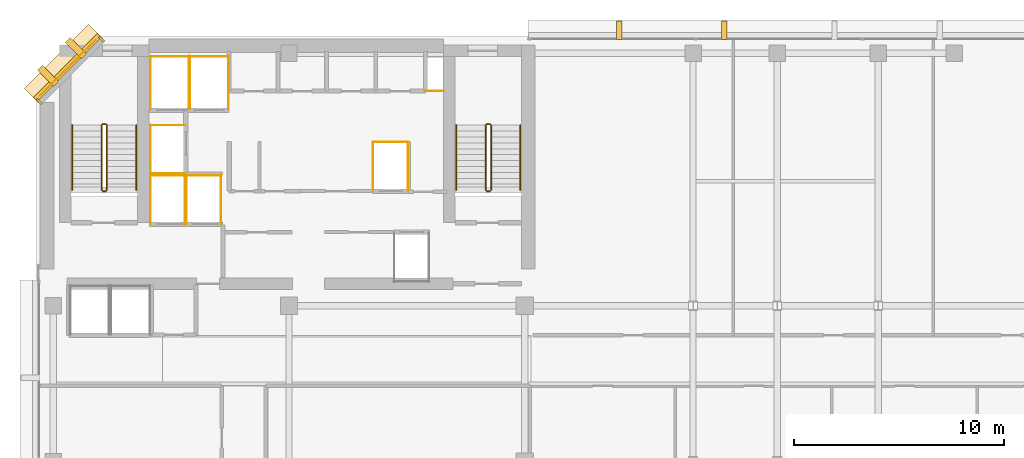
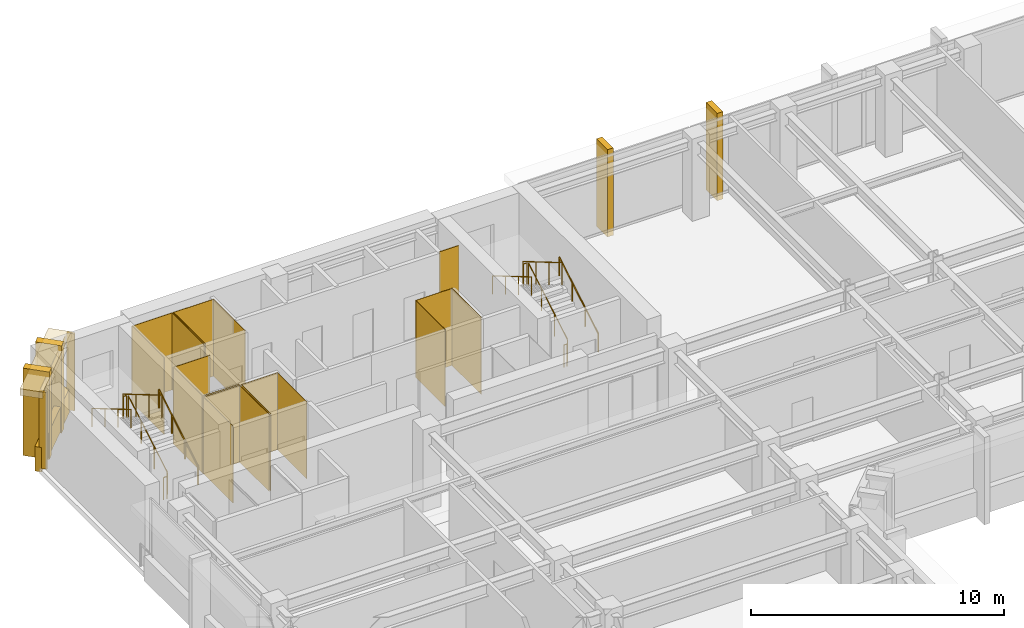
# One storey, part 11 of 12: 28 coverings, 12 railings.
"""IFC4 building model written with IfcOpenShell, lengths in metres."""

from ifc_helpers import new_model, si_unit, direction, frame, origin, origin_2d, place, context, subcontext, project, spatial, polyline, rectangle, circle, outline, extrude, material, layer, layer_set, type_object, element, save


model = new_model("IFC4")

# Units and contexts
model_context = context("Model", 3, precision=1e-05, world=origin(), true_north=direction((0.0, 1.0)))
body_context = subcontext(model_context, "Body", "Model", "MODEL_VIEW")
ifc_project = project(units=[si_unit("LENGTHUNIT", "METRE"), si_unit("AREAUNIT", "SQUARE_METRE"), si_unit("VOLUMEUNIT", "CUBIC_METRE"), si_unit("PLANEANGLEUNIT", "RADIAN"), si_unit("MASSUNIT", "GRAM", prefix="KILO")], contexts=[model_context])

# Site, building, storey
site_placement = place(None, origin())
site = spatial("IfcSite", under=ifc_project, at=site_placement, CompositionType="ELEMENT")
building_placement = place(site_placement, origin())
building = spatial("IfcBuilding", under=site, at=building_placement, Name="Kefirva Bronze Tower", CompositionType="ELEMENT")
storey_placement = place(building_placement, frame((0.0, 0.0, 256.409912109375)))
storey = spatial("IfcBuildingStorey", under=building, at=storey_placement, Name="L62", CompositionType="ELEMENT", Elevation=256.409912109375)

# Coverings
ifc_material_1 = material(Name="Bronze anodised aluminium", Category="aluminium")
ifc_layer_1 = layer(ifc_material_1, 0.02001953125, Name="Bronze anodised aluminium")
ifc_layer_set_1 = layer_set([ifc_layer_1], Name="Bronze anodised aluminium")
covering_type_1 = type_object("IfcCoveringType", Name="Anodised Bronze Spandrel Cladding 20mm", PredefinedType="CLADDING", material=ifc_layer_set_1)
covering_1_placement = place(storey_placement, frame((1.492919921875, 44.507080078125, 3.2900390625), z_axis=(0.0, 0.0, 1.0), x_axis=(-0.707106781187, -0.707106781187, 0.0)))
element("IfcCovering", 1, at=covering_1_placement, inside=storey, type_object=covering_type_1, Name="L62 Bronze Spandrel Cladding 6", PredefinedType="CLADDING", context=body_context, shape_type="SweptSolid", body=[
    extrude(rectangle(XDim=3.719482421875, YDim=0.02001953125, at=origin_2d()), origin(), (0.0, 0.0, 1.0), 0.39990234375),
])
for number, where, z_axis, x_axis, name in (
    (2, (3.08837890625, 45.862060546875, 0.0), (0.0, 0.0, 1.0), (-0.707106781187, -0.707106781187, 0.0), "L62 Facade Joint Closure Panel 6S"),
    (3, (0.137939453125, 42.91162109375, 0.0), (0.0, 0.0, 1.0), (-0.707106781187, -0.707106781187, 0.0), "L62 Facade Joint Closure Panel 6E"),
):
    element("IfcCovering", number, at=place(storey_placement, frame(where, z_axis=z_axis, x_axis=x_axis)), inside=storey, type_object=covering_type_1, Name=name, PredefinedType="CLADDING", context=body_context, shape_type="SweptSolid", body=[
        extrude(rectangle(XDim=0.10009765625, YDim=0.320068359375, at=origin_2d()), origin(), (0.0, 0.0, 1.0), 3.7099609375),
    ])
covering_2_placement = place(storey_placement, frame((1.4716796875, 44.5283203125, -0.15966796875), z_axis=(0.0, 0.0, 1.0), x_axis=(-0.707106781187, -0.707106781187, 0.0)))
element("IfcCovering", 4, at=covering_2_placement, inside=storey, type_object=covering_type_1, Name="L62 Streamline Horizontal Spandrel Band 9", PredefinedType="CLADDING", context=body_context, shape_type="SweptSolid", body=[
    extrude(rectangle(XDim=4.28271484375, YDim=0.280029296875, at=origin_2d()), origin(), (0.0, 0.0, 1.0), 1.179931640625),
])
covering_3_placement = place(storey_placement, origin())
element("IfcCovering", 5, at=covering_3_placement, inside=storey, type_object=covering_type_1, Name="L62 Lift FF1 Hoistway Liner N", PredefinedType="CLADDING", context=body_context, shape_type="SweptSolid", body=[
    extrude(outline(polyline([(5.39990234375, 39.389892578125), (7.080078125, 39.389892578125), (7.080078125, 39.409912109375), (5.39990234375, 39.409912109375), (5.39990234375, 39.389892578125)])), origin(), (0.0, 0.0, 1.0), 3.710205078125),
])
covering_4_placement = place(storey_placement, origin())
element("IfcCovering", 6, at=covering_4_placement, inside=storey, type_object=covering_type_1, Name="L62 Lift FF1 Hoistway Liner W", PredefinedType="CLADDING", context=body_context, shape_type="SweptSolid", body=[
    extrude(outline(polyline([(5.409912109375, 37.080078125), (5.429931640625, 37.080078125), (5.429931640625, 39.419921875), (5.409912109375, 39.419921875), (5.409912109375, 37.080078125)])), origin(), (0.0, 0.0, 1.0), 3.710205078125),
])
covering_5_placement = place(storey_placement, origin())
element("IfcCovering", 7, at=covering_5_placement, inside=storey, type_object=covering_type_1, Name="L62 Lift FF1 Hoistway Liner E", PredefinedType="CLADDING", context=body_context, shape_type="SweptSolid", body=[
    extrude(outline(polyline([(7.050048828125, 37.080078125), (7.070068359375, 37.080078125), (7.070068359375, 39.419921875), (7.050048828125, 39.419921875), (7.050048828125, 37.080078125)])), origin(), (0.0, 0.0, 1.0), 3.710205078125),
])
covering_6_placement = place(storey_placement, origin())
element("IfcCovering", 8, at=covering_6_placement, inside=storey, type_object=covering_type_1, Name="L62 Lift FF2 Hoistway Liner N", PredefinedType="CLADDING", context=body_context, shape_type="SweptSolid", body=[
    extrude(outline(polyline([(7.1201171875, 39.389892578125), (8.800048828125, 39.389892578125), (8.800048828125, 39.409912109375), (7.1201171875, 39.409912109375), (7.1201171875, 39.389892578125)])), origin(), (0.0, 0.0, 1.0), 3.710205078125),
])
covering_7_placement = place(storey_placement, origin())
element("IfcCovering", 9, at=covering_7_placement, inside=storey, type_object=covering_type_1, Name="L62 Lift FF2 Hoistway Liner W", PredefinedType="CLADDING", context=body_context, shape_type="SweptSolid", body=[
    extrude(outline(polyline([(7.1298828125, 37.080078125), (7.14990234375, 37.080078125), (7.14990234375, 39.419921875), (7.1298828125, 39.419921875), (7.1298828125, 37.080078125)])), origin(), (0.0, 0.0, 1.0), 3.710205078125),
])
covering_8_placement = place(storey_placement, origin())
element("IfcCovering", 10, at=covering_8_placement, inside=storey, type_object=covering_type_1, Name="L62 Lift FF2 Hoistway Liner E", PredefinedType="CLADDING", context=body_context, shape_type="SweptSolid", body=[
    extrude(outline(polyline([(8.77001953125, 37.080078125), (8.7900390625, 37.080078125), (8.7900390625, 39.419921875), (8.77001953125, 39.419921875), (8.77001953125, 37.080078125)])), origin(), (0.0, 0.0, 1.0), 3.710205078125),
])
covering_9_placement = place(storey_placement, origin())
element("IfcCovering", 11, at=covering_9_placement, inside=storey, type_object=covering_type_1, Name="L62 Lift SV1 Hoistway Liner N", PredefinedType="CLADDING", context=body_context, shape_type="SweptSolid", body=[
    extrude(outline(polyline([(5.39990234375, 45.0400390625), (7.260009765625, 45.0400390625), (7.260009765625, 45.06005859375), (5.39990234375, 45.06005859375), (5.39990234375, 45.0400390625)])), origin(), (0.0, 0.0, 1.0), 3.710205078125),
])
covering_10_placement = place(storey_placement, origin())
element("IfcCovering", 12, at=covering_10_placement, inside=storey, type_object=covering_type_1, Name="L62 Lift SV1 Hoistway Liner W", PredefinedType="CLADDING", context=body_context, shape_type="SweptSolid", body=[
    extrude(outline(polyline([(5.409912109375, 42.530029296875), (5.429931640625, 42.530029296875), (5.429931640625, 45.070068359375), (5.409912109375, 45.070068359375), (5.409912109375, 42.530029296875)])), origin(), (0.0, 0.0, 1.0), 3.710205078125),
])
covering_11_placement = place(storey_placement, origin())
element("IfcCovering", 13, at=covering_11_placement, inside=storey, type_object=covering_type_1, Name="L62 Lift SV1 Hoistway Liner E", PredefinedType="CLADDING", context=body_context, shape_type="SweptSolid", body=[
    extrude(outline(polyline([(7.22998046875, 42.530029296875), (7.25, 42.530029296875), (7.25, 45.070068359375), (7.22998046875, 45.070068359375), (7.22998046875, 42.530029296875)])), origin(), (0.0, 0.0, 1.0), 3.710205078125),
])
covering_12_placement = place(storey_placement, origin())
element("IfcCovering", 14, at=covering_12_placement, inside=storey, type_object=covering_type_1, Name="L62 Lift SV2 Hoistway Liner N", PredefinedType="CLADDING", context=body_context, shape_type="SweptSolid", body=[
    extrude(outline(polyline([(7.280029296875, 45.0400390625), (9.139892578125, 45.0400390625), (9.139892578125, 45.06005859375), (7.280029296875, 45.06005859375), (7.280029296875, 45.0400390625)])), origin(), (0.0, 0.0, 1.0), 3.710205078125),
])
covering_13_placement = place(storey_placement, origin())
element("IfcCovering", 15, at=covering_13_placement, inside=storey, type_object=covering_type_1, Name="L62 Lift SV2 Hoistway Liner W", PredefinedType="CLADDING", context=body_context, shape_type="SweptSolid", body=[
    extrude(outline(polyline([(7.2900390625, 42.530029296875), (7.31005859375, 42.530029296875), (7.31005859375, 45.070068359375), (7.2900390625, 45.070068359375), (7.2900390625, 42.530029296875)])), origin(), (0.0, 0.0, 1.0), 3.710205078125),
])
covering_14_placement = place(storey_placement, origin())
element("IfcCovering", 16, at=covering_14_placement, inside=storey, type_object=covering_type_1, Name="L62 Lift SV2 Hoistway Liner E", PredefinedType="CLADDING", context=body_context, shape_type="SweptSolid", body=[
    extrude(outline(polyline([(9.110107421875, 42.530029296875), (9.1298828125, 42.530029296875), (9.1298828125, 45.070068359375), (9.110107421875, 45.070068359375), (9.110107421875, 42.530029296875)])), origin(), (0.0, 0.0, 1.0), 3.710205078125),
])
covering_15_placement = place(storey_placement, origin())
element("IfcCovering", 17, at=covering_15_placement, inside=storey, type_object=covering_type_1, Name="L62 Lift HP2 Hoistway Liner N", PredefinedType="CLADDING", context=body_context, shape_type="SweptSolid", body=[
    extrude(outline(polyline([(15.97998046875, 40.969970703125), (17.669921875, 40.969970703125), (17.669921875, 40.989990234375), (15.97998046875, 40.989990234375), (15.97998046875, 40.969970703125)])), origin(), (0.0, 0.0, 1.0), 3.710205078125),
])
covering_16_placement = place(storey_placement, origin())
element("IfcCovering", 18, at=covering_16_placement, inside=storey, type_object=covering_type_1, Name="L62 Lift HP2 Hoistway Liner W", PredefinedType="CLADDING", context=body_context, shape_type="SweptSolid", body=[
    extrude(outline(polyline([(15.989990234375, 38.659912109375), (16.010009765625, 38.659912109375), (16.010009765625, 41.0), (15.989990234375, 41.0), (15.989990234375, 38.659912109375)])), origin(), (0.0, 0.0, 1.0), 3.710205078125),
])
covering_17_placement = place(storey_placement, origin())
element("IfcCovering", 19, at=covering_17_placement, inside=storey, type_object=covering_type_1, Name="L62 Lift HP2 Hoistway Liner E", PredefinedType="CLADDING", context=body_context, shape_type="SweptSolid", body=[
    extrude(outline(polyline([(17.639892578125, 38.659912109375), (17.659912109375, 38.659912109375), (17.659912109375, 41.0), (17.639892578125, 41.0), (17.639892578125, 38.659912109375)])), origin(), (0.0, 0.0, 1.0), 3.710205078125),
])
covering_18_placement = place(storey_placement, origin())
element("IfcCovering", 20, at=covering_18_placement, inside=storey, type_object=covering_type_1, Name="L62 Lift HP3 Hoistway Liner N", PredefinedType="CLADDING", context=body_context, shape_type="SweptSolid", body=[
    extrude(outline(polyline([(5.39990234375, 41.77001953125), (7.080078125, 41.77001953125), (7.080078125, 41.7900390625), (5.39990234375, 41.7900390625), (5.39990234375, 41.77001953125)])), origin(), (0.0, 0.0, 1.0), 3.710205078125),
])
covering_19_placement = place(storey_placement, origin())
element("IfcCovering", 21, at=covering_19_placement, inside=storey, type_object=covering_type_1, Name="L62 Lift HP3 Hoistway Liner S", PredefinedType="CLADDING", context=body_context, shape_type="SweptSolid", body=[
    extrude(outline(polyline([(5.39990234375, 39.469970703125), (7.080078125, 39.469970703125), (7.080078125, 39.489990234375), (5.39990234375, 39.489990234375), (5.39990234375, 39.469970703125)])), origin(), (0.0, 0.0, 1.0), 3.710205078125),
])
covering_20_placement = place(storey_placement, origin())
element("IfcCovering", 22, at=covering_20_placement, inside=storey, type_object=covering_type_1, Name="L62 Lift HP3 Hoistway Liner W", PredefinedType="CLADDING", context=body_context, shape_type="SweptSolid", body=[
    extrude(outline(polyline([(5.409912109375, 39.4599609375), (5.429931640625, 39.4599609375), (5.429931640625, 41.800048828125), (5.409912109375, 41.800048828125), (5.409912109375, 39.4599609375)])), origin(), (0.0, 0.0, 1.0), 3.710205078125),
])
covering_21_placement = place(storey_placement, origin())
element("IfcCovering", 23, at=covering_21_placement, inside=storey, type_object=covering_type_1, Name="L62 Core MEP Riser Shaft Liner South", PredefinedType="CLADDING", context=body_context, shape_type="SweptSolid", body=[
    extrude(outline(polyline([(18.47998046875, 43.39990234375), (19.360107421875, 43.39990234375), (19.360107421875, 43.429931640625), (18.47998046875, 43.429931640625), (18.47998046875, 43.39990234375)])), origin(), (0.0, 0.0, 1.0), 3.710205078125),
])

# Railings
ifc_material_2 = material(Name="Stainless steel 316", Category="steel")
railing_type_1 = type_object("IfcRailingType", Name="Interior Stair Guardrail 1100mm", PredefinedType="GUARDRAIL", material=ifc_material_2)
railing_1_placement = place(storey_placement, frame((3.35009765625, 38.699951171875, 0.1650390625)))
element("IfcRailing", 24, at=railing_1_placement, inside=storey, type_object=railing_type_1, Name="L62 ST-1 stair guard 1", PredefinedType="GUARDRAIL", context=body_context, shape_type="SweptSolid", body=[
    extrude(circle(Radius=0.02392578125, at=origin_2d()), frame((0.0, 0.0, 1.076171875), z_axis=(0.0, 0.861551262678, 0.507670583921), x_axis=(-1.0, 0.0, 0.0)), (0.0, 0.0, 1.0), 3.574951171875),
    extrude(circle(Radius=0.02099609375, at=origin_2d()), origin(), (0.0, 0.0, 1.0), 1.052001953125),
    extrude(circle(Radius=0.02099609375, at=origin_2d()), frame((0.0, 1.026611328125, 0.60498046875)), (0.0, 0.0, 1.0), 1.052001953125),
    extrude(circle(Radius=0.02099609375, at=origin_2d()), frame((0.0, 2.053466796875, 1.2099609375)), (0.0, 0.0, 1.0), 1.052001953125),
    extrude(circle(Radius=0.02099609375, at=origin_2d()), frame((0.0, 3.080078125, 1.81494140625)), (0.0, 0.0, 1.0), 1.052001953125),
])
railing_2_placement = place(storey_placement, frame((3.300048828125, 41.830078125, 1.97998046875)))
element("IfcRailing", 25, at=railing_2_placement, inside=storey, type_object=railing_type_1, Name="L62 ST-1 stair guard 2", PredefinedType="GUARDRAIL", context=body_context, shape_type="SweptSolid", body=[
    extrude(circle(Radius=0.02392578125, at=origin_2d()), frame((0.0, 0.0, 1.076171875), z_axis=(-1.0, 0.0, 0.0), x_axis=(0.0, -1.0, 0.0)), (0.0, 0.0, 1.0), 0.150146484375),
    extrude(circle(Radius=0.02099609375, at=origin_2d()), origin(), (0.0, 0.0, 1.0), 1.052001953125),
    extrude(circle(Radius=0.02099609375, at=origin_2d()), frame((-0.150146484375, 0.0, 0.0)), (0.0, 0.0, 1.0), 1.052001953125),
])
railing_3_placement = place(storey_placement, frame((3.10009765625, 41.780029296875, 2.14501953125)))
element("IfcRailing", 26, at=railing_3_placement, inside=storey, type_object=railing_type_1, Name="L62 ST-1 stair guard 3", PredefinedType="GUARDRAIL", context=body_context, shape_type="SweptSolid", body=[
    extrude(circle(Radius=0.02392578125, at=origin_2d()), frame((0.0, 0.0, 1.076171875), z_axis=(0.0, -0.861521393093, 0.507721271215), x_axis=(1.0, 0.0, 0.0)), (0.0, 0.0, 1.0), 3.5751953125),
    extrude(circle(Radius=0.02099609375, at=origin_2d()), origin(), (0.0, 0.0, 1.0), 1.052001953125),
    extrude(circle(Radius=0.02099609375, at=origin_2d()), frame((0.0, -1.026611328125, 0.60498046875)), (0.0, 0.0, 1.0), 1.052001953125),
    extrude(circle(Radius=0.02099609375, at=origin_2d()), frame((0.0, -2.053466796875, 1.210205078125)), (0.0, 0.0, 1.0), 1.052001953125),
    extrude(circle(Radius=0.02099609375, at=origin_2d()), frame((0.0, -3.080078125, 1.815185546875)), (0.0, 0.0, 1.0), 1.052001953125),
])
railing_4_placement = place(storey_placement, frame((3.300048828125, 38.64990234375, 0.0)))
element("IfcRailing", 27, at=railing_4_placement, inside=storey, type_object=railing_type_1, Name="L62 ST-1 stair guard 4", PredefinedType="GUARDRAIL", context=body_context, shape_type="SweptSolid", body=[
    extrude(circle(Radius=0.02392578125, at=origin_2d()), frame((0.0, 0.0, 1.076171875), z_axis=(-1.0, 0.0, 0.0), x_axis=(0.0, -1.0, 0.0)), (0.0, 0.0, 1.0), 0.150146484375),
    extrude(circle(Radius=0.02099609375, at=origin_2d()), origin(), (0.0, 0.0, 1.0), 1.052001953125),
    extrude(circle(Radius=0.02099609375, at=origin_2d()), frame((-0.150146484375, 0.0, 0.0)), (0.0, 0.0, 1.0), 1.052001953125),
])
railing_5_placement = place(storey_placement, frame((21.60009765625, 38.699951171875, 0.1650390625)))
element("IfcRailing", 28, at=railing_5_placement, inside=storey, type_object=railing_type_1, Name="L62 ST-2 stair guard 1", PredefinedType="GUARDRAIL", context=body_context, shape_type="SweptSolid", body=[
    extrude(circle(Radius=0.02392578125, at=origin_2d()), frame((0.0, 0.0, 1.076171875), z_axis=(0.0, 0.861551262678, 0.507670583921), x_axis=(-1.0, 0.0, 0.0)), (0.0, 0.0, 1.0), 3.574951171875),
    extrude(circle(Radius=0.02099609375, at=origin_2d()), origin(), (0.0, 0.0, 1.0), 1.052001953125),
    extrude(circle(Radius=0.02099609375, at=origin_2d()), frame((0.0, 1.026611328125, 0.60498046875)), (0.0, 0.0, 1.0), 1.052001953125),
    extrude(circle(Radius=0.02099609375, at=origin_2d()), frame((0.0, 2.053466796875, 1.2099609375)), (0.0, 0.0, 1.0), 1.052001953125),
    extrude(circle(Radius=0.02099609375, at=origin_2d()), frame((0.0, 3.080078125, 1.81494140625)), (0.0, 0.0, 1.0), 1.052001953125),
])
railing_6_placement = place(storey_placement, frame((21.550048828125, 41.830078125, 1.97998046875)))
element("IfcRailing", 29, at=railing_6_placement, inside=storey, type_object=railing_type_1, Name="L62 ST-2 stair guard 2", PredefinedType="GUARDRAIL", context=body_context, shape_type="SweptSolid", body=[
    extrude(circle(Radius=0.02392578125, at=origin_2d()), frame((0.0, 0.0, 1.076171875), z_axis=(-1.0, 0.0, 0.0), x_axis=(0.0, -1.0, 0.0)), (0.0, 0.0, 1.0), 0.150146484375),
    extrude(circle(Radius=0.02099609375, at=origin_2d()), origin(), (0.0, 0.0, 1.0), 1.052001953125),
    extrude(circle(Radius=0.02099609375, at=origin_2d()), frame((-0.150146484375, 0.0, 0.0)), (0.0, 0.0, 1.0), 1.052001953125),
])
railing_7_placement = place(storey_placement, frame((21.35009765625, 41.780029296875, 2.14501953125)))
element("IfcRailing", 30, at=railing_7_placement, inside=storey, type_object=railing_type_1, Name="L62 ST-2 stair guard 3", PredefinedType="GUARDRAIL", context=body_context, shape_type="SweptSolid", body=[
    extrude(circle(Radius=0.02392578125, at=origin_2d()), frame((0.0, 0.0, 1.076171875), z_axis=(0.0, -0.861521393093, 0.507721271215), x_axis=(1.0, 0.0, 0.0)), (0.0, 0.0, 1.0), 3.5751953125),
    extrude(circle(Radius=0.02099609375, at=origin_2d()), origin(), (0.0, 0.0, 1.0), 1.052001953125),
    extrude(circle(Radius=0.02099609375, at=origin_2d()), frame((0.0, -1.026611328125, 0.60498046875)), (0.0, 0.0, 1.0), 1.052001953125),
    extrude(circle(Radius=0.02099609375, at=origin_2d()), frame((0.0, -2.053466796875, 1.210205078125)), (0.0, 0.0, 1.0), 1.052001953125),
    extrude(circle(Radius=0.02099609375, at=origin_2d()), frame((0.0, -3.080078125, 1.815185546875)), (0.0, 0.0, 1.0), 1.052001953125),
])
railing_8_placement = place(storey_placement, frame((21.550048828125, 38.64990234375, 0.0)))
element("IfcRailing", 31, at=railing_8_placement, inside=storey, type_object=railing_type_1, Name="L62 ST-2 stair guard 4", PredefinedType="GUARDRAIL", context=body_context, shape_type="SweptSolid", body=[
    extrude(circle(Radius=0.02392578125, at=origin_2d()), frame((0.0, 0.0, 1.076171875), z_axis=(-1.0, 0.0, 0.0), x_axis=(0.0, -1.0, 0.0)), (0.0, 0.0, 1.0), 0.150146484375),
    extrude(circle(Radius=0.02099609375, at=origin_2d()), origin(), (0.0, 0.0, 1.0), 1.052001953125),
    extrude(circle(Radius=0.02099609375, at=origin_2d()), frame((-0.150146484375, 0.0, 0.0)), (0.0, 0.0, 1.0), 1.052001953125),
])
railing_type_2 = type_object("IfcRailingType", Name="Stair Pitch Handrail 900mm", PredefinedType="HANDRAIL", material=ifc_material_2)
railing_9_placement = place(storey_placement, frame((4.75, 38.699951171875, 0.1650390625)))
element("IfcRailing", 32, at=railing_9_placement, inside=storey, type_object=railing_type_2, Name="L62 ST-1 stair handrail 1", PredefinedType="HANDRAIL", context=body_context, shape_type="SweptSolid", body=[
    extrude(circle(Radius=0.02392578125, at=origin_2d()), frame((0.0, 0.0, 0.8759765625), z_axis=(0.0, 0.861551262678, 0.507670583921), x_axis=(-1.0, 0.0, 0.0)), (0.0, 0.0, 1.0), 3.574951171875),
    extrude(circle(Radius=0.02099609375, at=origin_2d()), origin(), (0.0, 0.0, 1.0), 0.851806640625),
    extrude(circle(Radius=0.02099609375, at=origin_2d()), frame((0.0, 1.026611328125, 0.60498046875)), (0.0, 0.0, 1.0), 0.851806640625),
    extrude(circle(Radius=0.02099609375, at=origin_2d()), frame((0.0, 2.053466796875, 1.2099609375)), (0.0, 0.0, 1.0), 0.851806640625),
    extrude(circle(Radius=0.02099609375, at=origin_2d()), frame((0.0, 3.080078125, 1.81494140625)), (0.0, 0.0, 1.0), 0.851806640625),
])
railing_10_placement = place(storey_placement, frame((1.699951171875, 41.780029296875, 2.14501953125)))
element("IfcRailing", 33, at=railing_10_placement, inside=storey, type_object=railing_type_2, Name="L62 ST-1 stair handrail 2", PredefinedType="HANDRAIL", context=body_context, shape_type="SweptSolid", body=[
    extrude(circle(Radius=0.02392578125, at=origin_2d()), frame((0.0, 0.0, 0.8759765625), z_axis=(0.0, -0.861521393093, 0.507721271215), x_axis=(1.0, 0.0, 0.0)), (0.0, 0.0, 1.0), 3.5751953125),
    extrude(circle(Radius=0.02099609375, at=origin_2d()), origin(), (0.0, 0.0, 1.0), 0.851806640625),
    extrude(circle(Radius=0.02099609375, at=origin_2d()), frame((0.0, -1.026611328125, 0.60498046875)), (0.0, 0.0, 1.0), 0.851806640625),
    extrude(circle(Radius=0.02099609375, at=origin_2d()), frame((0.0, -2.053466796875, 1.210205078125)), (0.0, 0.0, 1.0), 0.851806640625),
    extrude(circle(Radius=0.02099609375, at=origin_2d()), frame((0.0, -3.080078125, 1.815185546875)), (0.0, 0.0, 1.0), 0.851806640625),
])
railing_11_placement = place(storey_placement, frame((23.0, 38.699951171875, 0.1650390625)))
element("IfcRailing", 34, at=railing_11_placement, inside=storey, type_object=railing_type_2, Name="L62 ST-2 stair handrail 1", PredefinedType="HANDRAIL", context=body_context, shape_type="SweptSolid", body=[
    extrude(circle(Radius=0.02392578125, at=origin_2d()), frame((0.0, 0.0, 0.8759765625), z_axis=(0.0, 0.861551262678, 0.507670583921), x_axis=(-1.0, 0.0, 0.0)), (0.0, 0.0, 1.0), 3.574951171875),
    extrude(circle(Radius=0.02099609375, at=origin_2d()), origin(), (0.0, 0.0, 1.0), 0.851806640625),
    extrude(circle(Radius=0.02099609375, at=origin_2d()), frame((0.0, 1.026611328125, 0.60498046875)), (0.0, 0.0, 1.0), 0.851806640625),
    extrude(circle(Radius=0.02099609375, at=origin_2d()), frame((0.0, 2.053466796875, 1.2099609375)), (0.0, 0.0, 1.0), 0.851806640625),
    extrude(circle(Radius=0.02099609375, at=origin_2d()), frame((0.0, 3.080078125, 1.81494140625)), (0.0, 0.0, 1.0), 0.851806640625),
])
railing_12_placement = place(storey_placement, frame((19.949951171875, 41.780029296875, 2.14501953125)))
element("IfcRailing", 35, at=railing_12_placement, inside=storey, type_object=railing_type_2, Name="L62 ST-2 stair handrail 2", PredefinedType="HANDRAIL", context=body_context, shape_type="SweptSolid", body=[
    extrude(circle(Radius=0.02392578125, at=origin_2d()), frame((0.0, 0.0, 0.8759765625), z_axis=(0.0, -0.861521393093, 0.507721271215), x_axis=(1.0, 0.0, 0.0)), (0.0, 0.0, 1.0), 3.5751953125),
    extrude(circle(Radius=0.02099609375, at=origin_2d()), origin(), (0.0, 0.0, 1.0), 0.851806640625),
    extrude(circle(Radius=0.02099609375, at=origin_2d()), frame((0.0, -1.026611328125, 0.60498046875)), (0.0, 0.0, 1.0), 0.851806640625),
    extrude(circle(Radius=0.02099609375, at=origin_2d()), frame((0.0, -2.053466796875, 1.210205078125)), (0.0, 0.0, 1.0), 0.851806640625),
    extrude(circle(Radius=0.02099609375, at=origin_2d()), frame((0.0, -3.080078125, 1.815185546875)), (0.0, 0.0, 1.0), 0.851806640625),
])

# Coverings
ifc_layer_2 = layer(ifc_material_1, 0.179931640625, Name="Bronze anodised aluminium")
ifc_layer_set_2 = layer_set([ifc_layer_2], Name="Bronze anodised aluminium")
covering_type_2 = type_object("IfcCoveringType", Name="Streamline Bronze Sunshade Eyebrow Cladding 180mm", PredefinedType="CLADDING", material=ifc_layer_set_2)
covering_22_placement = place(storey_placement, frame((1.28076171875, 44.71923828125, 3.39013671875), z_axis=(0.0, 0.0, 1.0), x_axis=(-0.707106781187, -0.707106781187, 0.0)))
element("IfcCovering", 36, at=covering_22_placement, inside=storey, type_object=covering_type_2, Name="L62 Streamline Bronze Sunshade Eyebrow 9", PredefinedType="CLADDING", context=body_context, shape_type="SweptSolid", body=[
    extrude(rectangle(XDim=4.322509765625, YDim=0.93994140625, at=origin_2d()), origin(), (0.0, 0.0, 1.0), 0.320068359375),
])
ifc_layer_3 = layer(ifc_material_1, 0.260009765625, Name="Bronze anodised aluminium")
ifc_layer_set_3 = layer_set([ifc_layer_3], Name="Bronze anodised aluminium")
covering_type_3 = type_object("IfcCoveringType", Name="Unbroken Bronze Buttress Fin Cladding 260mm", PredefinedType="CLADDING", material=ifc_layer_set_3)
for number, where, z_axis, x_axis, name in (
    (37, (32.68505859375, 46.300048828125, -0.25), (0.0, 0.0, 1.0), (-1.0, 0.0, 0.0), "L62 Unbroken Vertical Bronze Rib Fin 19"),
    (38, (27.68798828125, 46.300048828125, -0.25), (0.0, 0.0, 1.0), (-1.0, 0.0, 0.0), "L62 Unbroken Vertical Bronze Rib Fin 20"),
):
    element("IfcCovering", number, at=place(storey_placement, frame(where, z_axis=z_axis, x_axis=x_axis)), inside=storey, type_object=covering_type_3, Name=name, PredefinedType="CLADDING", context=body_context, shape_type="SweptSolid", body=[
        extrude(rectangle(XDim=0.260009765625, YDim=0.8798828125, at=origin_2d()), origin(), (0.0, 0.0, 1.0), 4.2099609375),
    ])
for number, where, z_axis, x_axis, name in (
    (39, (1.877197265625, 45.44287109375, -0.25), (0.0, 0.0, 1.0), (-0.707106781187, -0.707106781187, 0.0), "L62 Chamfered Corner Buttress Fin Cladding 21"),
    (40, (0.55712890625, 44.122802734375, -0.25), (0.0, 0.0, 1.0), (-0.707106781187, -0.707106781187, 0.0), "L62 Chamfered Corner Buttress Fin Cladding 22"),
):
    element("IfcCovering", number, at=place(storey_placement, frame(where, z_axis=z_axis, x_axis=x_axis)), inside=storey, type_object=covering_type_3, Name=name, PredefinedType="CLADDING", context=body_context, shape_type="SweptSolid", body=[
        extrude(rectangle(XDim=0.340087890625, YDim=1.080078125, at=origin_2d()), origin(), (0.0, 0.0, 1.0), 4.2099609375),
    ])

save(model, "model.ifc")
